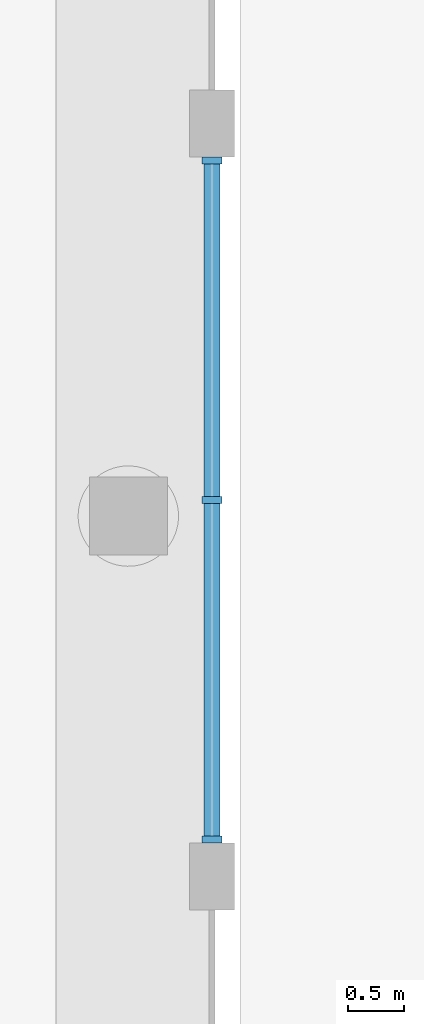
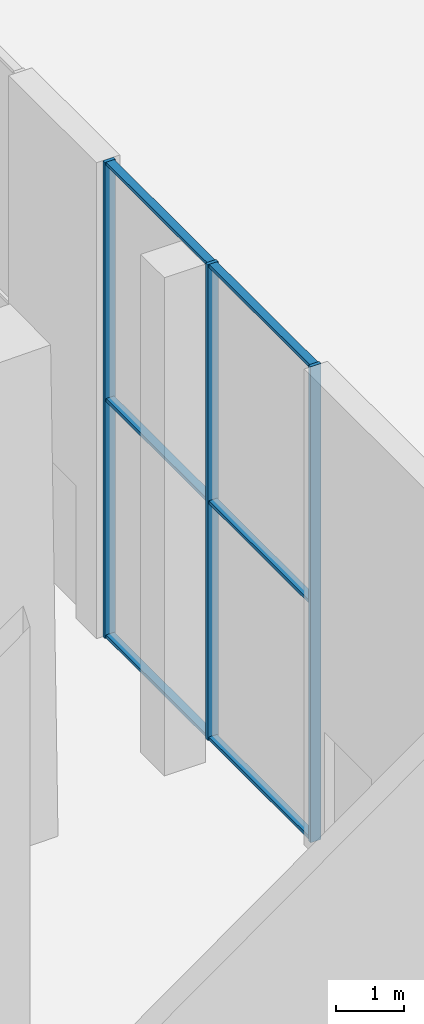
# One storey, part 15 of 63: 9 members, 1 element without a shape of its own.
"""IFC4 building model written with IfcOpenShell, lengths in metres."""

import ifcopenshell
import ifcopenshell.guid

model = None  # the IFC model being written
_history = None  # IfcOwnerHistory: only IFC2X3 demands one
_inside = {}  # id of a spatial element -> (the spatial element, [elements in it])
_under = {}  # id of a project, library or spatial element -> (it, [spatial elements below it])
_declared = {}  # id of a project -> (the project, [libraries it declares])
_typed = {}  # id of a type object -> (the type object, [elements of that type])
_made_of = {}  # id of a material, layer set ... -> (it, [elements and type objects made of it])


def new_model(schema):
    """Start an empty IFC model of exactly this schema.

    Asked for "IFC4X3", IfcOpenShell would pick the latest addendum, in which some entities
    have other attributes; the version numbers below select the first issue.
    IFC2X3 requires an IfcOwnerHistory on every rooted entity: one is made here for all.
    """
    global model, _history
    if schema == "IFC4X3":
        model = ifcopenshell.file(schema_version=(4, 3, 0, 0))
    else:
        model = ifcopenshell.file(schema=schema)
    _inside.clear()
    _under.clear()
    _declared.clear()
    _typed.clear()
    _made_of.clear()
    _history = None
    if model.schema == "IFC2X3":
        org = make("IfcOrganization", Name="unknown")
        user = make(
            "IfcPersonAndOrganization",
            ThePerson=make("IfcPerson", FamilyName="unknown"),
            TheOrganization=org,
        )
        app = make(
            "IfcApplication",
            ApplicationDeveloper=org,
            Version="unknown",
            ApplicationFullName="unknown",
            ApplicationIdentifier="unknown",
        )
        _history = make(
            "IfcOwnerHistory",
            OwningUser=user,
            OwningApplication=app,
            ChangeAction="ADDED",
            CreationDate=0,
        )
    return model


def make(cls, **values):
    """One entity of the class cls with the attributes given. An attribute that is None is left unset."""
    return model.create_entity(
        cls, **{name: value for name, value in values.items() if value is not None}
    )


def rooted(cls, **values):
    """An entity with a GlobalId (a new one), such as an element, a storey or a relation."""
    return make(cls, GlobalId=ifcopenshell.guid.new(), OwnerHistory=_history, **values)


def si_unit(unit_type, name, prefix=None):
    """IfcSIUnit, for example si_unit("LENGTHUNIT", "METRE", prefix="MILLI")."""
    return make("IfcSIUnit", UnitType=unit_type, Prefix=prefix, Name=name)


def assignment(units):
    """IfcUnitAssignment: the units of a project."""
    return None if units is None else make("IfcUnitAssignment", Units=units)


def point(xyz):
    """IfcCartesianPoint."""
    return None if xyz is None else make("IfcCartesianPoint", Coordinates=xyz)


def direction(xyz):
    """IfcDirection."""
    return None if xyz is None else make("IfcDirection", DirectionRatios=xyz)


def frame(location, z_axis=None, x_axis=None):
    """IfcAxis2Placement3D, a coordinate frame: its origin and axes. An axis left out is left unset."""
    return make(
        "IfcAxis2Placement3D",
        Location=point(location),
        Axis=direction(z_axis),
        RefDirection=direction(x_axis),
    )


def frame_2d(location, x_axis=None):
    """IfcAxis2Placement2D, a coordinate frame in the plane: its origin and x axis."""
    return make(
        "IfcAxis2Placement2D", Location=point(location), RefDirection=direction(x_axis)
    )


def origin():
    """The frame at (0, 0, 0) with its axes left unset."""
    return frame((0.0, 0.0, 0.0))


def origin_2d():
    """The frame at (0, 0) in the plane with its x axis left unset."""
    return frame_2d((0.0, 0.0))


def place(relative_to, where):
    """IfcLocalPlacement: puts the frame where relative to a parent placement (None: the world)."""
    return make(
        "IfcLocalPlacement", PlacementRelTo=relative_to, RelativePlacement=where
    )


def context(
    kind, dimensions, precision=None, world=None, true_north=None, identifier=None
):
    """IfcGeometricRepresentationContext, for example the 3D "Model" context."""
    return make(
        "IfcGeometricRepresentationContext",
        ContextIdentifier=identifier,
        ContextType=kind,
        CoordinateSpaceDimension=dimensions,
        Precision=precision,
        WorldCoordinateSystem=world,
        TrueNorth=true_north,
    )


def subcontext(parent, identifier, kind, view, scale=None):
    """IfcGeometricRepresentationSubContext, for example "Body" below "Model"."""
    return make(
        "IfcGeometricRepresentationSubContext",
        ContextIdentifier=identifier,
        ContextType=kind,
        ParentContext=parent,
        TargetScale=scale,
        TargetView=view,
    )


def project(units=None, contexts=None):
    """IfcProject with its units and contexts."""
    return rooted(
        "IfcProject",
        Name="project",
        RepresentationContexts=contexts,
        UnitsInContext=assignment(units),
    )


def spatial(cls, under=None, at=None, **own):
    """A site, building, storey or space (cls), placed at a placement, below another one or the project."""
    s = rooted(cls, ObjectPlacement=at, **own)
    if under is not None:
        _under.setdefault(under.id(), (under, []))[1].append(s)
    return s


def profile(cls, at=None, kind="AREA", **sizes):
    """A parametric profile (cls). Its sizes go by their IFC names, for example OverallWidth=200.0."""
    return make(cls, ProfileType=kind, Position=at, **sizes)


def rectangle(**sizes):
    """IfcRectangleProfileDef."""
    return profile("IfcRectangleProfileDef", **sizes)


def extrude(swept, where, along, depth):
    """IfcExtrudedAreaSolid: the profile swept, set in the frame where, extruded along a direction by depth."""
    return make(
        "IfcExtrudedAreaSolid",
        SweptArea=swept,
        Position=where,
        ExtrudedDirection=direction(along),
        Depth=depth,
    )


def shape(context_of_items, identifier, shape_type, items):
    """IfcShapeRepresentation: the items that make up one representation, for example the "Body"."""
    return make(
        "IfcShapeRepresentation",
        ContextOfItems=context_of_items,
        RepresentationIdentifier=identifier,
        RepresentationType=shape_type,
        Items=items,
    )


def material(Name=None, Category=None):
    """IfcMaterial."""
    return make("IfcMaterial", Name=Name, Category=Category)


def layer(
    of_material, thickness, ventilated=None, Name=None, Category=None, Priority=None
):
    """IfcMaterialLayer: one layer of a wall or slab, of a material (None: an air gap)."""
    return make(
        "IfcMaterialLayer",
        Material=of_material,
        LayerThickness=thickness,
        IsVentilated=ventilated,
        Name=Name,
        Category=Category,
        Priority=Priority,
    )


def layer_set(layers, Name=None):
    """IfcMaterialLayerSet."""
    return make("IfcMaterialLayerSet", MaterialLayers=layers, LayerSetName=Name)


def material_profile(
    of_material, cross_section, Name=None, Category=None, Priority=None
):
    """IfcMaterialProfile: a cross section and its material."""
    return make(
        "IfcMaterialProfile",
        Name=Name,
        Material=of_material,
        Profile=cross_section,
        Priority=Priority,
        Category=Category,
    )


def profile_set(profiles, Name=None, composite=None):
    """IfcMaterialProfileSet."""
    return make(
        "IfcMaterialProfileSet",
        Name=Name,
        MaterialProfiles=profiles,
        CompositeProfile=composite,
    )


def made_of(thing, what):
    """Note that an element or type object is made of a material, layer set ...; save() writes the relation."""
    if what is not None:
        _made_of.setdefault(what.id(), (what, []))[1].append(thing)
    return thing


def type_object(cls, material=None, **own):
    """A type object (cls), such as IfcWallType, which elements share."""
    return made_of(rooted(cls, **own), material)


def element(
    cls,
    number,
    at=None,
    inside=None,
    cuts=None,
    type_object=None,
    material=None,
    context=None,
    identifier="Body",
    shape_type=None,
    held_by="IfcProductDefinitionShape",
    body=None,
    shapes=None,
    **own,
):
    """One element of the class cls, such as IfcWall. Its Tag is "e" and its number.

    at: its placement. inside: the storey or other place that contains it. cuts: it is an
    opening in that element (IfcRelVoidsElement). A single representation is given by context,
    identifier, shape_type and body (its items); several are given by shapes. held_by: the class
    of the entity that holds the representations. save() writes the other relations.
    """
    e = rooted(cls, Tag="e%d" % number, ObjectPlacement=at, **own)
    if body is not None:
        shapes = [shape(context, identifier, shape_type, body)]
    if shapes is not None:
        e.Representation = make(held_by, Representations=shapes)
    if inside is not None:
        _inside.setdefault(inside.id(), (inside, []))[1].append(e)
    if cuts is not None:
        rooted(
            "IfcRelVoidsElement", RelatingBuildingElement=cuts, RelatedOpeningElement=e
        )
    if type_object is not None:
        _typed.setdefault(type_object.id(), (type_object, []))[1].append(e)
    return made_of(e, material)


def aggregate(whole, parts):
    """IfcRelAggregates: a whole, such as a stair, and the parts it consists of."""
    return rooted("IfcRelAggregates", RelatingObject=whole, RelatedObjects=parts)


def save(model, path):
    """Write the relations noted so far, then the file.

    IfcRelAggregates (storeys below a building ...), IfcRelContainedInSpatialStructure (elements
    in a storey), IfcRelDefinesByType, IfcRelAssociatesMaterial and IfcRelDeclares: one each for
    every whole, place, type object, material and project.
    """
    for whole, parts in _under.values():
        aggregate(whole, parts)
    for where, things in _inside.values():
        rooted(
            "IfcRelContainedInSpatialStructure",
            RelatedElements=things,
            RelatingStructure=where,
        )
    for kind, things in _typed.values():
        rooted("IfcRelDefinesByType", RelatedObjects=things, RelatingType=kind)
    for what, things in _made_of.values():
        rooted("IfcRelAssociatesMaterial", RelatedObjects=things, RelatingMaterial=what)
    for by, libraries in _declared.values():
        rooted("IfcRelDeclares", RelatingContext=by, RelatedDefinitions=libraries)
    model.write(path)


model = new_model("IFC4")

# Units and contexts
model_context = context("Model", 3, precision=1e-05, world=origin(), true_north=direction((0.0, 1.0)))
body_context = subcontext(model_context, "Body", "Model", "MODEL_VIEW")
ifc_project = project(units=[si_unit("LENGTHUNIT", "METRE"), si_unit("AREAUNIT", "SQUARE_METRE"), si_unit("VOLUMEUNIT", "CUBIC_METRE"), si_unit("PLANEANGLEUNIT", "RADIAN"), si_unit("MASSUNIT", "GRAM", prefix="KILO")], contexts=[model_context])

# Site, building, storey
site_placement = place(None, origin())
site = spatial("IfcSite", under=ifc_project, at=site_placement, CompositionType="ELEMENT")
building_placement = place(site_placement, origin())
building = spatial("IfcBuilding", under=site, at=building_placement, Name="Jabali Bay Hotel Tower and Convention Centre", CompositionType="ELEMENT")
storey_placement = place(building_placement, origin())
storey = spatial("IfcBuildingStorey", under=building, at=storey_placement, Name="L00", CompositionType="ELEMENT", Elevation=0.0)

# Curtain wall, members
ifc_material_1 = material(Name="Aluminium and glass", Category="aluminium")
ifc_layer = layer(ifc_material_1, 0.179931640625)
ifc_layer_set = layer_set([ifc_layer], Name="Aluminium and glass")
curtain_wall_type = type_object("IfcCurtainWallType", Name="CW1 curtain wall", PredefinedType="NOTDEFINED", material=ifc_layer_set)
curtain_wall_placement = place(storey_placement, origin())
curtain_wall = element("IfcCurtainWall", 1, at=curtain_wall_placement, inside=storey, type_object=curtain_wall_type, Name="CW1 curtain wall east face L00", PredefinedType="NOTDEFINED")
ifc_material_2 = material(Name="Aluminium", Category="aluminium")
ifc_material_profile_1 = material_profile(ifc_material_2, rectangle(XDim=0.179931640625, YDim=0.06005859375, at=origin_2d()), Name="CW1 mullion 60 x 180")
ifc_profile_set_1 = profile_set([ifc_material_profile_1], Name="Aluminium")
member_type_1 = type_object("IfcMemberType", Name="CW1 mullion 60 x 180", PredefinedType="MULLION", material=ifc_profile_set_1)
member_1_placement = place(storey_placement, frame((103.5, 96.164794921875, 0.0), z_axis=(0.0, 0.0, 1.0), x_axis=(1.0, 0.0, 0.0)))
member_1 = element("IfcMember", 2, at=member_1_placement, type_object=member_type_1, Name="CW1 mullion 1", PredefinedType="MULLION", context=body_context, shape_type="SweptSolid", body=[
    extrude(rectangle(XDim=0.179931640625, YDim=0.06005859375, at=origin_2d()), origin(), (0.0, 0.0, 1.0), 8.60009765625),
])
member_2_placement = place(storey_placement, frame((103.5, 93.12109375, 0.0), z_axis=(0.0, 0.0, 1.0), x_axis=(1.0, 0.0, 0.0)))
member_2 = element("IfcMember", 3, at=member_2_placement, type_object=member_type_1, Name="CW1 mullion 2", PredefinedType="MULLION", context=body_context, shape_type="SweptSolid", body=[
    extrude(rectangle(XDim=0.179931640625, YDim=0.06005859375, at=origin_2d()), origin(), (0.0, 0.0, 1.0), 8.60009765625),
])
member_3_placement = place(storey_placement, frame((103.5, 90.077392578125, 0.0), z_axis=(0.0, 0.0, 1.0), x_axis=(1.0, 0.0, 0.0)))
member_3 = element("IfcMember", 4, at=member_3_placement, type_object=member_type_1, Name="CW1 mullion 3", PredefinedType="MULLION", context=body_context, shape_type="SweptSolid", body=[
    extrude(rectangle(XDim=0.179931640625, YDim=0.06005859375, at=origin_2d()), origin(), (0.0, 0.0, 1.0), 8.60009765625),
])
ifc_material_profile_2 = material_profile(ifc_material_2, rectangle(XDim=0.139892578125, YDim=0.06005859375, at=origin_2d()), Name="CW1 transom 60 x 140")
ifc_profile_set_2 = profile_set([ifc_material_profile_2], Name="Aluminium")
member_type_2 = type_object("IfcMemberType", Name="CW1 transom 60 x 140", PredefinedType="USERDEFINED", material=ifc_profile_set_2)
member_4_placement = place(storey_placement, frame((103.5, 96.134765625, 0.030029296875), z_axis=(0.0, -1.0, 0.0), x_axis=(1.0, 0.0, 0.0)))
member_4 = element("IfcMember", 5, at=member_4_placement, type_object=member_type_2, Name="CW1 transom 1.1", ObjectType="TRANSOM", PredefinedType="USERDEFINED", context=body_context, shape_type="SweptSolid", body=[
    extrude(rectangle(XDim=0.139892578125, YDim=0.06005859375, at=origin_2d()), origin(), (0.0, 0.0, 1.0), 2.983642578125),
])
member_5_placement = place(storey_placement, frame((103.5, 96.134765625, 4.300048828125), z_axis=(0.0, -1.0, 0.0), x_axis=(1.0, 0.0, 0.0)))
member_5 = element("IfcMember", 6, at=member_5_placement, type_object=member_type_2, Name="CW1 transom 1.2", ObjectType="TRANSOM", PredefinedType="USERDEFINED", context=body_context, shape_type="SweptSolid", body=[
    extrude(rectangle(XDim=0.139892578125, YDim=0.06005859375, at=origin_2d()), origin(), (0.0, 0.0, 1.0), 2.983642578125),
])
member_6_placement = place(storey_placement, frame((103.5, 96.134765625, 8.570068359375), z_axis=(0.0, -1.0, 0.0), x_axis=(1.0, 0.0, 0.0)))
member_6 = element("IfcMember", 7, at=member_6_placement, type_object=member_type_2, Name="CW1 transom 1.3", ObjectType="TRANSOM", PredefinedType="USERDEFINED", context=body_context, shape_type="SweptSolid", body=[
    extrude(rectangle(XDim=0.139892578125, YDim=0.06005859375, at=origin_2d()), origin(), (0.0, 0.0, 1.0), 2.983642578125),
])
member_7_placement = place(storey_placement, frame((103.5, 93.091064453125, 0.030029296875), z_axis=(0.0, -1.0, 0.0), x_axis=(1.0, 0.0, 0.0)))
member_7 = element("IfcMember", 8, at=member_7_placement, type_object=member_type_2, Name="CW1 transom 2.1", ObjectType="TRANSOM", PredefinedType="USERDEFINED", context=body_context, shape_type="SweptSolid", body=[
    extrude(rectangle(XDim=0.139892578125, YDim=0.06005859375, at=origin_2d()), origin(), (0.0, 0.0, 1.0), 2.983642578125),
])
member_8_placement = place(storey_placement, frame((103.5, 93.091064453125, 4.300048828125), z_axis=(0.0, -1.0, 0.0), x_axis=(1.0, 0.0, 0.0)))
member_8 = element("IfcMember", 9, at=member_8_placement, type_object=member_type_2, Name="CW1 transom 2.2", ObjectType="TRANSOM", PredefinedType="USERDEFINED", context=body_context, shape_type="SweptSolid", body=[
    extrude(rectangle(XDim=0.139892578125, YDim=0.06005859375, at=origin_2d()), origin(), (0.0, 0.0, 1.0), 2.983642578125),
])
member_9_placement = place(storey_placement, frame((103.5, 93.091064453125, 8.570068359375), z_axis=(0.0, -1.0, 0.0), x_axis=(1.0, 0.0, 0.0)))
member_9 = element("IfcMember", 10, at=member_9_placement, type_object=member_type_2, Name="CW1 transom 2.3", ObjectType="TRANSOM", PredefinedType="USERDEFINED", context=body_context, shape_type="SweptSolid", body=[
    extrude(rectangle(XDim=0.139892578125, YDim=0.06005859375, at=origin_2d()), origin(), (0.0, 0.0, 1.0), 2.983642578125),
])
aggregate(curtain_wall, [member_1, member_2, member_3, member_4, member_5, member_6, member_7, member_8, member_9])

save(model, "model.ifc")
